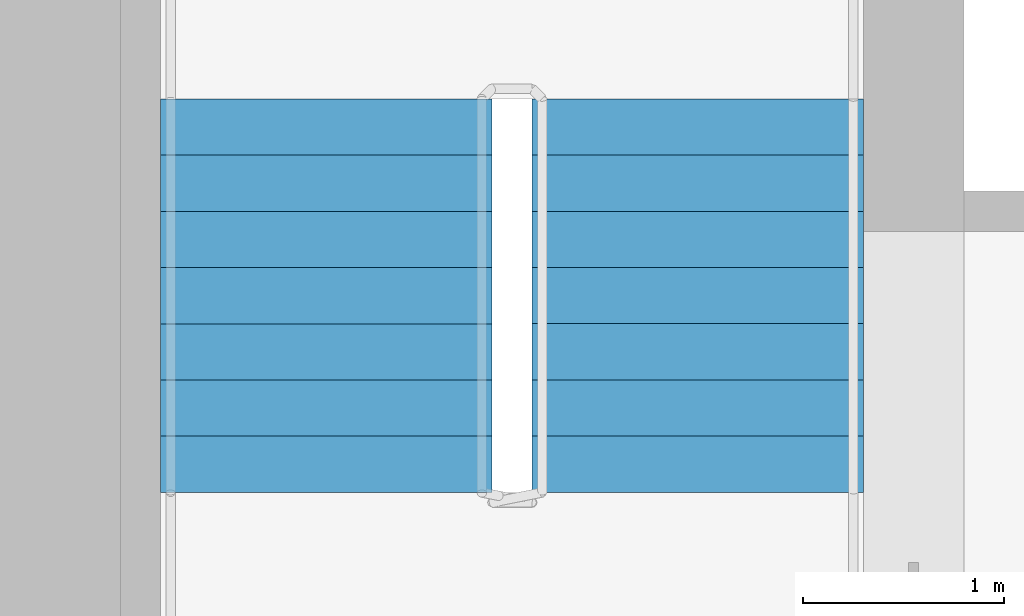
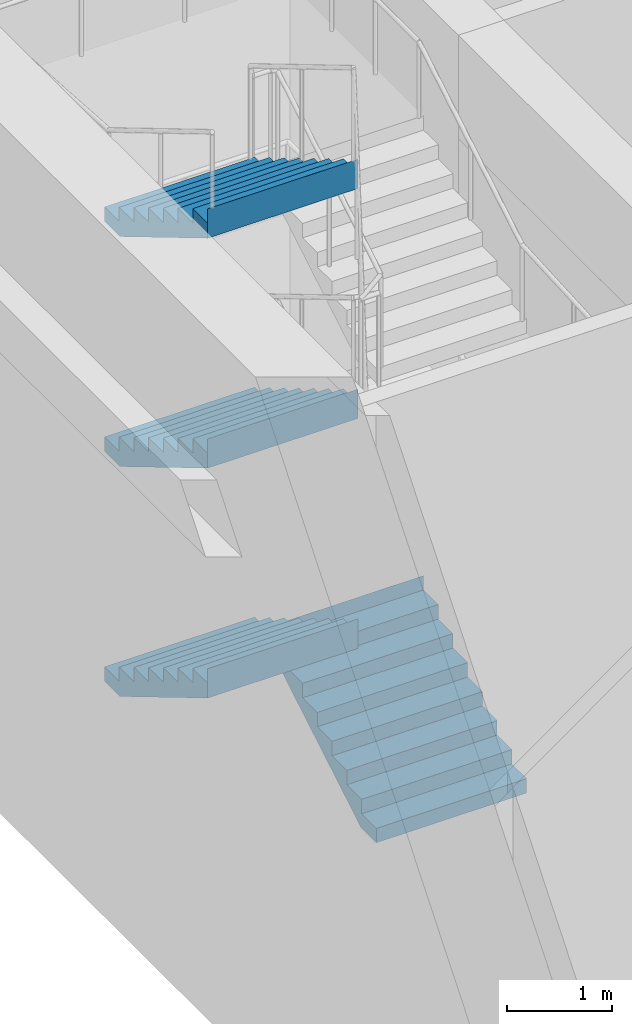
# One storey, part 7 of 12: 4 stair flights, 1 element without a shape of its own.
"""IFC4 building model written with IfcOpenShell, lengths in metres."""

from ifc_helpers import new_model, si_unit, direction, frame, origin, place, context, subcontext, project, spatial, polyline, outline, extrude, material, type_object, element, aggregate, save


model = new_model("IFC4")

# Units and contexts
model_context = context("Model", 3, precision=1e-05, world=origin(), true_north=direction((0.0, 1.0)))
body_context = subcontext(model_context, "Body", "Model", "MODEL_VIEW")
ifc_project = project(units=[si_unit("LENGTHUNIT", "METRE"), si_unit("AREAUNIT", "SQUARE_METRE"), si_unit("VOLUMEUNIT", "CUBIC_METRE"), si_unit("PLANEANGLEUNIT", "RADIAN"), si_unit("MASSUNIT", "GRAM", prefix="KILO")], contexts=[model_context])

# Site, building, storey
site_placement = place(None, origin())
site = spatial("IfcSite", under=ifc_project, at=site_placement, CompositionType="ELEMENT")
building_placement = place(site_placement, origin())
building = spatial("IfcBuilding", under=site, at=building_placement, Name="Tamorin Gate", CompositionType="ELEMENT")
storey_placement = place(building_placement, frame((0.0, 0.0, 166.199951171875)))
storey = spatial("IfcBuildingStorey", under=building, at=storey_placement, Name="L41", CompositionType="ELEMENT", Elevation=166.199951171875)

# Stair, stair flights
ifc_material = material(Name="Concrete C40/50", Category="concrete")
stair_type = type_object("IfcStairType", Name="Exit stair", PredefinedType="HALF_TURN_STAIR", material=ifc_material)
stair_placement = place(storey_placement, origin())
stair = element("IfcStair", 1, at=stair_placement, inside=storey, type_object=stair_type, Name="L41 stair ST2", PredefinedType="HALF_TURN_STAIR")
stair_flight_type = type_object("IfcStairFlightType", Name="Exit stair flight", PredefinedType="STRAIGHT", material=ifc_material)
stair_flight_1_placement = place(storey_placement, frame((33.675048828125, 77.0, 0.0), z_axis=(0.0, 0.0, 1.0), x_axis=(0.0, 1.0, 0.0)))
stair_flight_1 = element("IfcStairFlight", 2, at=stair_flight_1_placement, type_object=stair_flight_type, Name="ST2 flight 1", NumberOfRisers=8, NumberOfTreads=7, PredefinedType="STRAIGHT", RiserHeight=0.166666667, TreadLength=0.28, context=body_context, shape_type="SweptSolid", body=[
    extrude(outline(polyline([(-0.00048828125, 0.0), (-0.00048828125, 0.001708984375), (-0.00048828125, 0.00341796875), (-0.00048828125, 0.0048828125), (-0.00048828125, 0.006591796875), (-0.00048828125, 0.00830078125), (-0.00048828125, 0.010009765625), (-0.00048828125, 0.011474609375), (-0.00048828125, 0.01318359375), (-0.00048828125, 0.014892578125), (-0.00048828125, 0.0166015625), (-0.00048828125, 0.01806640625), (-0.00048828125, 0.019775390625), (-0.00048828125, 0.021484375), (-0.00048828125, 0.023193359375), (-0.00048828125, 0.024658203125), (-0.00048828125, 0.0263671875), (-0.00048828125, 0.028076171875), (-0.00048828125, 0.02978515625), (-0.00048828125, 0.03125), (-0.00048828125, 0.032958984375), (-0.00048828125, 0.03466796875), (-0.00048828125, 0.036376953125), (-0.00048828125, 0.037841796875), (-0.00048828125, 0.03955078125), (-0.00048828125, 0.041259765625), (-0.00048828125, 0.04296875), (-0.00048828125, 0.04443359375), (-0.00048828125, 0.046142578125), (-0.00048828125, 0.0478515625), (-0.00048828125, 0.049560546875), (-0.00048828125, 0.05126953125), (-0.00048828125, 0.052734375), (-0.00048828125, 0.054443359375), (-0.00048828125, 0.05615234375), (-0.00048828125, 0.057861328125), (-0.00048828125, 0.059326171875), (-0.00048828125, 0.06103515625), (-0.00048828125, 0.062744140625), (-0.00048828125, 0.064453125), (-0.00048828125, 0.06591796875), (-0.00048828125, 0.067626953125), (-0.00048828125, 0.0693359375), (-0.00048828125, 0.071044921875), (-0.00048828125, 0.072509765625), (-0.00048828125, 0.07421875), (-0.00048828125, 0.075927734375), (-0.00048828125, 0.07763671875), (-0.00048828125, 0.0791015625), (-0.00048828125, 0.080810546875), (-0.00048828125, 0.08251953125), (-0.00048828125, 0.084228515625), (-0.00048828125, 0.085693359375), (-0.00048828125, 0.08740234375), (-0.00048828125, 0.089111328125), (-0.00048828125, 0.0908203125), (-0.00048828125, 0.092529296875), (-0.00048828125, 0.093994140625), (-0.00048828125, 0.095703125), (-0.00048828125, 0.097412109375), (-0.00048828125, 0.09912109375), (-0.00048828125, 0.1005859375), (-0.00048828125, 0.102294921875), (-0.00048828125, 0.10400390625), (-0.00048828125, 0.105712890625), (-0.00048828125, 0.107177734375), (-0.00048828125, 0.10888671875), (-0.00048828125, 0.110595703125), (-0.00048828125, 0.1123046875), (-0.00048828125, 0.11376953125), (-0.00048828125, 0.115478515625), (-0.00048828125, 0.1171875), (-0.00048828125, 0.118896484375), (-0.00048828125, 0.120361328125), (-0.00048828125, 0.1220703125), (-0.00048828125, 0.123779296875), (-0.00048828125, 0.12548828125), (-0.00048828125, 0.126953125), (-0.00048828125, 0.128662109375), (-0.00048828125, 0.13037109375), (-0.00048828125, 0.132080078125), (-0.00048828125, 0.133544921875), (-0.00048828125, 0.13525390625), (-0.00048828125, 0.136962890625), (-0.00048828125, 0.138671875), (-0.00048828125, 0.140380859375), (-0.00048828125, 0.141845703125), (-0.00048828125, 0.1435546875), (-0.00048828125, 0.145263671875), (-0.00048828125, 0.14697265625), (-0.00048828125, 0.1484375), (-0.00048828125, 0.150146484375), (-0.00048828125, 0.15185546875), (-0.00048828125, 0.153564453125), (-0.00048828125, 0.155029296875), (-0.00048828125, 0.15673828125), (-0.00048828125, 0.158447265625), (-0.00048828125, 0.16015625), (-0.00048828125, 0.16162109375), (-0.00048828125, 0.163330078125), (-0.00048828125, 0.1650390625), (-0.00048828125, 0.166748046875), (0.280029296875, 0.166748046875), (0.280029296875, 0.333251953125), (0.56005859375, 0.333251953125), (0.56005859375, 0.5), (0.840087890625, 0.5), (0.840087890625, 0.666748046875), (1.1201171875, 0.666748046875), (1.1201171875, 0.833251953125), (1.39990234375, 0.833251953125), (1.39990234375, 1.0), (1.679931640625, 1.0), (1.679931640625, 1.166748046875), (1.9599609375, 1.166748046875), (1.9599609375, 1.333251953125), (1.96044921875, 1.333251953125), (1.96044921875, 1.329833984375), (1.96044921875, 1.32666015625), (1.96044921875, 1.3232421875), (1.96044921875, 1.31982421875), (1.96044921875, 1.31640625), (1.96044921875, 1.31298828125), (1.96044921875, 1.3095703125), (1.96044921875, 1.306396484375), (1.96044921875, 1.302978515625), (1.96044921875, 1.299560546875), (1.96044921875, 1.296142578125), (1.96044921875, 1.292724609375), (1.96044921875, 1.289306640625), (1.96044921875, 1.2861328125), (1.96044921875, 1.28271484375), (1.96044921875, 1.279296875), (1.96044921875, 1.27587890625), (1.96044921875, 1.2724609375), (1.96044921875, 1.26904296875), (1.96044921875, 1.265869140625), (1.96044921875, 1.262451171875), (1.96044921875, 1.259033203125), (1.96044921875, 1.255615234375), (1.96044921875, 1.252197265625), (1.96044921875, 1.248779296875), (1.96044921875, 1.24560546875), (1.96044921875, 1.2421875), (1.96044921875, 1.23876953125), (1.96044921875, 1.2353515625), (1.96044921875, 1.23193359375), (1.96044921875, 1.228515625), (1.96044921875, 1.225341796875), (1.96044921875, 1.221923828125), (1.96044921875, 1.218505859375), (1.96044921875, 1.215087890625), (1.96044921875, 1.211669921875), (1.96044921875, 1.208251953125), (1.96044921875, 1.205078125), (1.96044921875, 1.20166015625), (1.96044921875, 1.1982421875), (1.96044921875, 1.19482421875), (1.96044921875, 1.19140625), (1.96044921875, 1.18798828125), (1.96044921875, 1.184814453125), (1.96044921875, 1.181396484375), (1.96044921875, 1.177978515625), (1.96044921875, 1.174560546875), (1.96044921875, 1.171142578125), (1.96044921875, 1.167724609375), (1.96044921875, 1.16455078125), (1.96044921875, 1.1611328125), (1.96044921875, 1.15771484375), (1.96044921875, 1.154296875), (1.96044921875, 1.15087890625), (1.96044921875, 1.1474609375), (1.96044921875, 1.144287109375), (1.96044921875, 1.140869140625), (1.96044921875, 1.137451171875), (1.96044921875, 1.134033203125), (1.96044921875, 1.130615234375), (1.96044921875, 1.127197265625), (1.96044921875, 1.1240234375), (1.96044921875, 1.12060546875), (1.96044921875, 1.1171875), (1.96044921875, 1.11376953125), (1.96044921875, 1.1103515625), (1.96044921875, 1.10693359375), (1.96044921875, 1.103759765625), (1.96044921875, 1.100341796875), (1.96044921875, 1.096923828125), (1.96044921875, 1.093505859375), (1.96044921875, 1.090087890625), (1.96044921875, 1.086669921875), (1.96044921875, 1.08349609375), (1.96044921875, 1.080078125), (1.96044921875, 1.07666015625), (1.96044921875, 1.0732421875), (1.96044921875, 1.06982421875), (1.96044921875, 1.06640625), (1.96044921875, 1.063232421875), (1.96044921875, 1.059814453125), (1.96044921875, 1.056396484375), (1.96044921875, 1.052978515625), (1.96044921875, 1.049560546875), (1.96044921875, 1.046142578125), (1.96044921875, 1.04296875), (1.96044921875, 1.03955078125), (1.96044921875, 1.0361328125), (1.96044921875, 1.03271484375), (1.96044921875, 1.029296875), (1.96044921875, 1.02587890625), (1.96044921875, 1.022705078125), (1.96044921875, 1.019287109375), (1.96044921875, 1.015869140625), (1.96044921875, 1.012451171875), (1.96044921875, 1.009033203125), (1.96044921875, 1.005615234375), (1.96044921875, 1.00244140625), (1.96044921875, 0.9990234375), (1.96044921875, 0.99560546875), (1.96044921875, 0.9921875), (1.9599609375, 0.9921875), (0.29296875, 0.0), (-0.00048828125, 0.0)])), frame((0.0, 0.824951171875, 0.0), z_axis=(0.0, -1.0, 0.0), x_axis=(1.0, 0.0, 0.0)), (0.0, 0.0, 1.0), 1.64990234375),
])
stair_flight_2_placement = place(storey_placement, frame((31.824951171875, 78.9599609375, 1.33349609375), z_axis=(0.0, 0.0, 1.0), x_axis=(0.0, -1.0, 0.0)))
stair_flight_2 = element("IfcStairFlight", 3, at=stair_flight_2_placement, type_object=stair_flight_type, Name="ST2 flight 2", NumberOfRisers=8, NumberOfTreads=7, PredefinedType="STRAIGHT", RiserHeight=0.166666667, TreadLength=0.28, context=body_context, shape_type="SweptSolid", body=[
    extrude(outline(polyline([(-0.00048828125, 0.0), (-0.00048828125, 0.001708984375), (-0.00048828125, 0.00341796875), (-0.00048828125, 0.0048828125), (-0.00048828125, 0.006591796875), (-0.00048828125, 0.00830078125), (-0.00048828125, 0.010009765625), (-0.00048828125, 0.011474609375), (-0.00048828125, 0.01318359375), (-0.00048828125, 0.014892578125), (-0.00048828125, 0.0166015625), (-0.00048828125, 0.01806640625), (-0.00048828125, 0.019775390625), (-0.00048828125, 0.021484375), (-0.00048828125, 0.023193359375), (-0.00048828125, 0.024658203125), (-0.00048828125, 0.0263671875), (-0.00048828125, 0.028076171875), (-0.00048828125, 0.02978515625), (-0.00048828125, 0.03125), (-0.00048828125, 0.032958984375), (-0.00048828125, 0.03466796875), (-0.00048828125, 0.036376953125), (-0.00048828125, 0.037841796875), (-0.00048828125, 0.03955078125), (-0.00048828125, 0.041259765625), (-0.00048828125, 0.04296875), (-0.00048828125, 0.04443359375), (-0.00048828125, 0.046142578125), (-0.00048828125, 0.0478515625), (-0.00048828125, 0.049560546875), (-0.00048828125, 0.05126953125), (-0.00048828125, 0.052734375), (-0.00048828125, 0.054443359375), (-0.00048828125, 0.05615234375), (-0.00048828125, 0.057861328125), (-0.00048828125, 0.059326171875), (-0.00048828125, 0.06103515625), (-0.00048828125, 0.062744140625), (-0.00048828125, 0.064453125), (-0.00048828125, 0.06591796875), (-0.00048828125, 0.067626953125), (-0.00048828125, 0.0693359375), (-0.00048828125, 0.071044921875), (-0.00048828125, 0.072509765625), (-0.00048828125, 0.07421875), (-0.00048828125, 0.075927734375), (-0.00048828125, 0.07763671875), (-0.00048828125, 0.0791015625), (-0.00048828125, 0.080810546875), (-0.00048828125, 0.08251953125), (-0.00048828125, 0.084228515625), (-0.00048828125, 0.085693359375), (-0.00048828125, 0.08740234375), (-0.00048828125, 0.089111328125), (-0.00048828125, 0.0908203125), (-0.00048828125, 0.092529296875), (-0.00048828125, 0.093994140625), (-0.00048828125, 0.095703125), (-0.00048828125, 0.097412109375), (-0.00048828125, 0.09912109375), (-0.00048828125, 0.1005859375), (-0.00048828125, 0.102294921875), (-0.00048828125, 0.10400390625), (-0.00048828125, 0.105712890625), (-0.00048828125, 0.107177734375), (-0.00048828125, 0.10888671875), (-0.00048828125, 0.110595703125), (-0.00048828125, 0.1123046875), (-0.00048828125, 0.11376953125), (-0.00048828125, 0.115478515625), (-0.00048828125, 0.1171875), (-0.00048828125, 0.118896484375), (-0.00048828125, 0.120361328125), (-0.00048828125, 0.1220703125), (-0.00048828125, 0.123779296875), (-0.00048828125, 0.12548828125), (-0.00048828125, 0.126953125), (-0.00048828125, 0.128662109375), (-0.00048828125, 0.13037109375), (-0.00048828125, 0.132080078125), (-0.00048828125, 0.133544921875), (-0.00048828125, 0.13525390625), (-0.00048828125, 0.136962890625), (-0.00048828125, 0.138671875), (-0.00048828125, 0.140380859375), (-0.00048828125, 0.141845703125), (-0.00048828125, 0.1435546875), (-0.00048828125, 0.145263671875), (-0.00048828125, 0.14697265625), (-0.00048828125, 0.1484375), (-0.00048828125, 0.150146484375), (-0.00048828125, 0.15185546875), (-0.00048828125, 0.153564453125), (-0.00048828125, 0.155029296875), (-0.00048828125, 0.15673828125), (-0.00048828125, 0.158447265625), (-0.00048828125, 0.16015625), (-0.00048828125, 0.16162109375), (-0.00048828125, 0.163330078125), (-0.00048828125, 0.1650390625), (-0.00048828125, 0.166748046875), (0.280029296875, 0.166748046875), (0.280029296875, 0.333251953125), (0.56005859375, 0.333251953125), (0.56005859375, 0.5), (0.840087890625, 0.5), (0.840087890625, 0.666748046875), (1.1201171875, 0.666748046875), (1.1201171875, 0.833251953125), (1.39990234375, 0.833251953125), (1.39990234375, 1.0), (1.679931640625, 1.0), (1.679931640625, 1.166748046875), (1.9599609375, 1.166748046875), (1.9599609375, 1.333251953125), (1.96044921875, 1.333251953125), (1.96044921875, 1.329833984375), (1.96044921875, 1.32666015625), (1.96044921875, 1.3232421875), (1.96044921875, 1.31982421875), (1.96044921875, 1.31640625), (1.96044921875, 1.31298828125), (1.96044921875, 1.3095703125), (1.96044921875, 1.306396484375), (1.96044921875, 1.302978515625), (1.96044921875, 1.299560546875), (1.96044921875, 1.296142578125), (1.96044921875, 1.292724609375), (1.96044921875, 1.289306640625), (1.96044921875, 1.2861328125), (1.96044921875, 1.28271484375), (1.96044921875, 1.279296875), (1.96044921875, 1.27587890625), (1.96044921875, 1.2724609375), (1.96044921875, 1.26904296875), (1.96044921875, 1.265869140625), (1.96044921875, 1.262451171875), (1.96044921875, 1.259033203125), (1.96044921875, 1.255615234375), (1.96044921875, 1.252197265625), (1.96044921875, 1.248779296875), (1.96044921875, 1.24560546875), (1.96044921875, 1.2421875), (1.96044921875, 1.23876953125), (1.96044921875, 1.2353515625), (1.96044921875, 1.23193359375), (1.96044921875, 1.228515625), (1.96044921875, 1.225341796875), (1.96044921875, 1.221923828125), (1.96044921875, 1.218505859375), (1.96044921875, 1.215087890625), (1.96044921875, 1.211669921875), (1.96044921875, 1.208251953125), (1.96044921875, 1.205078125), (1.96044921875, 1.20166015625), (1.96044921875, 1.1982421875), (1.96044921875, 1.19482421875), (1.96044921875, 1.19140625), (1.96044921875, 1.18798828125), (1.96044921875, 1.184814453125), (1.96044921875, 1.181396484375), (1.96044921875, 1.177978515625), (1.96044921875, 1.174560546875), (1.96044921875, 1.171142578125), (1.96044921875, 1.167724609375), (1.96044921875, 1.16455078125), (1.96044921875, 1.1611328125), (1.96044921875, 1.15771484375), (1.96044921875, 1.154296875), (1.96044921875, 1.15087890625), (1.96044921875, 1.1474609375), (1.96044921875, 1.144287109375), (1.96044921875, 1.140869140625), (1.96044921875, 1.137451171875), (1.96044921875, 1.134033203125), (1.96044921875, 1.130615234375), (1.96044921875, 1.127197265625), (1.96044921875, 1.1240234375), (1.96044921875, 1.12060546875), (1.96044921875, 1.1171875), (1.96044921875, 1.11376953125), (1.96044921875, 1.1103515625), (1.96044921875, 1.10693359375), (1.96044921875, 1.103759765625), (1.96044921875, 1.100341796875), (1.96044921875, 1.096923828125), (1.96044921875, 1.093505859375), (1.96044921875, 1.090087890625), (1.96044921875, 1.086669921875), (1.96044921875, 1.08349609375), (1.96044921875, 1.080078125), (1.96044921875, 1.07666015625), (1.96044921875, 1.0732421875), (1.96044921875, 1.06982421875), (1.96044921875, 1.06640625), (1.96044921875, 1.063232421875), (1.96044921875, 1.059814453125), (1.96044921875, 1.056396484375), (1.96044921875, 1.052978515625), (1.96044921875, 1.049560546875), (1.96044921875, 1.046142578125), (1.96044921875, 1.04296875), (1.96044921875, 1.03955078125), (1.96044921875, 1.0361328125), (1.96044921875, 1.03271484375), (1.96044921875, 1.029296875), (1.96044921875, 1.02587890625), (1.96044921875, 1.022705078125), (1.96044921875, 1.019287109375), (1.96044921875, 1.015869140625), (1.96044921875, 1.012451171875), (1.96044921875, 1.009033203125), (1.96044921875, 1.005615234375), (1.96044921875, 1.00244140625), (1.96044921875, 0.9990234375), (1.96044921875, 0.99560546875), (1.96044921875, 0.9921875), (1.9599609375, 0.9921875), (0.29296875, 0.0), (-0.00048828125, 0.0)])), frame((0.0, 0.824951171875, 0.0), z_axis=(0.0, -1.0, 0.0), x_axis=(1.0, 0.0, 0.0)), (0.0, 0.0, 1.0), 1.64990234375),
])
stair_flight_3_placement = place(storey_placement, frame((31.824951171875, 78.9599609375, 4.0), z_axis=(0.0, 0.0, 1.0), x_axis=(0.0, -1.0, 0.0)))
stair_flight_3 = element("IfcStairFlight", 4, at=stair_flight_3_placement, type_object=stair_flight_type, Name="ST2 flight 4", NumberOfRisers=8, NumberOfTreads=7, PredefinedType="STRAIGHT", RiserHeight=0.166666667, TreadLength=0.28, context=body_context, shape_type="SweptSolid", body=[
    extrude(outline(polyline([(-0.00048828125, 0.0), (-0.00048828125, 0.001708984375), (-0.00048828125, 0.00341796875), (-0.00048828125, 0.0048828125), (-0.00048828125, 0.006591796875), (-0.00048828125, 0.00830078125), (-0.00048828125, 0.010009765625), (-0.00048828125, 0.011474609375), (-0.00048828125, 0.01318359375), (-0.00048828125, 0.014892578125), (-0.00048828125, 0.0166015625), (-0.00048828125, 0.01806640625), (-0.00048828125, 0.019775390625), (-0.00048828125, 0.021484375), (-0.00048828125, 0.023193359375), (-0.00048828125, 0.024658203125), (-0.00048828125, 0.0263671875), (-0.00048828125, 0.028076171875), (-0.00048828125, 0.02978515625), (-0.00048828125, 0.03125), (-0.00048828125, 0.032958984375), (-0.00048828125, 0.03466796875), (-0.00048828125, 0.036376953125), (-0.00048828125, 0.037841796875), (-0.00048828125, 0.03955078125), (-0.00048828125, 0.041259765625), (-0.00048828125, 0.04296875), (-0.00048828125, 0.04443359375), (-0.00048828125, 0.046142578125), (-0.00048828125, 0.0478515625), (-0.00048828125, 0.049560546875), (-0.00048828125, 0.05126953125), (-0.00048828125, 0.052734375), (-0.00048828125, 0.054443359375), (-0.00048828125, 0.05615234375), (-0.00048828125, 0.057861328125), (-0.00048828125, 0.059326171875), (-0.00048828125, 0.06103515625), (-0.00048828125, 0.062744140625), (-0.00048828125, 0.064453125), (-0.00048828125, 0.06591796875), (-0.00048828125, 0.067626953125), (-0.00048828125, 0.0693359375), (-0.00048828125, 0.071044921875), (-0.00048828125, 0.072509765625), (-0.00048828125, 0.07421875), (-0.00048828125, 0.075927734375), (-0.00048828125, 0.07763671875), (-0.00048828125, 0.0791015625), (-0.00048828125, 0.080810546875), (-0.00048828125, 0.08251953125), (-0.00048828125, 0.084228515625), (-0.00048828125, 0.085693359375), (-0.00048828125, 0.08740234375), (-0.00048828125, 0.089111328125), (-0.00048828125, 0.0908203125), (-0.00048828125, 0.092529296875), (-0.00048828125, 0.093994140625), (-0.00048828125, 0.095703125), (-0.00048828125, 0.097412109375), (-0.00048828125, 0.09912109375), (-0.00048828125, 0.1005859375), (-0.00048828125, 0.102294921875), (-0.00048828125, 0.10400390625), (-0.00048828125, 0.105712890625), (-0.00048828125, 0.107177734375), (-0.00048828125, 0.10888671875), (-0.00048828125, 0.110595703125), (-0.00048828125, 0.1123046875), (-0.00048828125, 0.11376953125), (-0.00048828125, 0.115478515625), (-0.00048828125, 0.1171875), (-0.00048828125, 0.118896484375), (-0.00048828125, 0.120361328125), (-0.00048828125, 0.1220703125), (-0.00048828125, 0.123779296875), (-0.00048828125, 0.12548828125), (-0.00048828125, 0.126953125), (-0.00048828125, 0.128662109375), (-0.00048828125, 0.13037109375), (-0.00048828125, 0.132080078125), (-0.00048828125, 0.133544921875), (-0.00048828125, 0.13525390625), (-0.00048828125, 0.136962890625), (-0.00048828125, 0.138671875), (-0.00048828125, 0.140380859375), (-0.00048828125, 0.141845703125), (-0.00048828125, 0.1435546875), (-0.00048828125, 0.145263671875), (-0.00048828125, 0.14697265625), (-0.00048828125, 0.1484375), (-0.00048828125, 0.150146484375), (-0.00048828125, 0.15185546875), (-0.00048828125, 0.153564453125), (-0.00048828125, 0.155029296875), (-0.00048828125, 0.15673828125), (-0.00048828125, 0.158447265625), (-0.00048828125, 0.16015625), (-0.00048828125, 0.16162109375), (-0.00048828125, 0.163330078125), (-0.00048828125, 0.1650390625), (-0.00048828125, 0.166748046875), (0.280029296875, 0.166748046875), (0.280029296875, 0.333251953125), (0.56005859375, 0.333251953125), (0.56005859375, 0.5), (0.840087890625, 0.5), (0.840087890625, 0.666748046875), (1.1201171875, 0.666748046875), (1.1201171875, 0.833251953125), (1.39990234375, 0.833251953125), (1.39990234375, 1.0), (1.679931640625, 1.0), (1.679931640625, 1.166748046875), (1.9599609375, 1.166748046875), (1.9599609375, 1.333251953125), (1.96044921875, 1.333251953125), (1.96044921875, 1.329833984375), (1.96044921875, 1.32666015625), (1.96044921875, 1.3232421875), (1.96044921875, 1.31982421875), (1.96044921875, 1.31640625), (1.96044921875, 1.31298828125), (1.96044921875, 1.3095703125), (1.96044921875, 1.306396484375), (1.96044921875, 1.302978515625), (1.96044921875, 1.299560546875), (1.96044921875, 1.296142578125), (1.96044921875, 1.292724609375), (1.96044921875, 1.289306640625), (1.96044921875, 1.2861328125), (1.96044921875, 1.28271484375), (1.96044921875, 1.279296875), (1.96044921875, 1.27587890625), (1.96044921875, 1.2724609375), (1.96044921875, 1.26904296875), (1.96044921875, 1.265869140625), (1.96044921875, 1.262451171875), (1.96044921875, 1.259033203125), (1.96044921875, 1.255615234375), (1.96044921875, 1.252197265625), (1.96044921875, 1.248779296875), (1.96044921875, 1.24560546875), (1.96044921875, 1.2421875), (1.96044921875, 1.23876953125), (1.96044921875, 1.2353515625), (1.96044921875, 1.23193359375), (1.96044921875, 1.228515625), (1.96044921875, 1.225341796875), (1.96044921875, 1.221923828125), (1.96044921875, 1.218505859375), (1.96044921875, 1.215087890625), (1.96044921875, 1.211669921875), (1.96044921875, 1.208251953125), (1.96044921875, 1.205078125), (1.96044921875, 1.20166015625), (1.96044921875, 1.1982421875), (1.96044921875, 1.19482421875), (1.96044921875, 1.19140625), (1.96044921875, 1.18798828125), (1.96044921875, 1.184814453125), (1.96044921875, 1.181396484375), (1.96044921875, 1.177978515625), (1.96044921875, 1.174560546875), (1.96044921875, 1.171142578125), (1.96044921875, 1.167724609375), (1.96044921875, 1.16455078125), (1.96044921875, 1.1611328125), (1.96044921875, 1.15771484375), (1.96044921875, 1.154296875), (1.96044921875, 1.15087890625), (1.96044921875, 1.1474609375), (1.96044921875, 1.144287109375), (1.96044921875, 1.140869140625), (1.96044921875, 1.137451171875), (1.96044921875, 1.134033203125), (1.96044921875, 1.130615234375), (1.96044921875, 1.127197265625), (1.96044921875, 1.1240234375), (1.96044921875, 1.12060546875), (1.96044921875, 1.1171875), (1.96044921875, 1.11376953125), (1.96044921875, 1.1103515625), (1.96044921875, 1.10693359375), (1.96044921875, 1.103759765625), (1.96044921875, 1.100341796875), (1.96044921875, 1.096923828125), (1.96044921875, 1.093505859375), (1.96044921875, 1.090087890625), (1.96044921875, 1.086669921875), (1.96044921875, 1.08349609375), (1.96044921875, 1.080078125), (1.96044921875, 1.07666015625), (1.96044921875, 1.0732421875), (1.96044921875, 1.06982421875), (1.96044921875, 1.06640625), (1.96044921875, 1.063232421875), (1.96044921875, 1.059814453125), (1.96044921875, 1.056396484375), (1.96044921875, 1.052978515625), (1.96044921875, 1.049560546875), (1.96044921875, 1.046142578125), (1.96044921875, 1.04296875), (1.96044921875, 1.03955078125), (1.96044921875, 1.0361328125), (1.96044921875, 1.03271484375), (1.96044921875, 1.029296875), (1.96044921875, 1.02587890625), (1.96044921875, 1.022705078125), (1.96044921875, 1.019287109375), (1.96044921875, 1.015869140625), (1.96044921875, 1.012451171875), (1.96044921875, 1.009033203125), (1.96044921875, 1.005615234375), (1.96044921875, 1.00244140625), (1.96044921875, 0.9990234375), (1.96044921875, 0.99560546875), (1.96044921875, 0.9921875), (1.9599609375, 0.9921875), (0.29296875, 0.0), (-0.00048828125, 0.0)])), frame((0.0, 0.824951171875, 0.0), z_axis=(0.0, -1.0, 0.0), x_axis=(1.0, 0.0, 0.0)), (0.0, 0.0, 1.0), 1.64990234375),
])
stair_flight_4_placement = place(storey_placement, frame((31.824951171875, 78.9599609375, 6.666748046875), z_axis=(0.0, 0.0, 1.0), x_axis=(0.0, -1.0, 0.0)))
stair_flight_4 = element("IfcStairFlight", 5, at=stair_flight_4_placement, type_object=stair_flight_type, Name="ST2 flight 6", NumberOfRisers=8, NumberOfTreads=7, PredefinedType="STRAIGHT", RiserHeight=0.166666667, TreadLength=0.28, context=body_context, shape_type="SweptSolid", body=[
    extrude(outline(polyline([(-0.00048828125, 0.0), (-0.00048828125, 0.001708984375), (-0.00048828125, 0.00341796875), (-0.00048828125, 0.0048828125), (-0.00048828125, 0.006591796875), (-0.00048828125, 0.00830078125), (-0.00048828125, 0.010009765625), (-0.00048828125, 0.011474609375), (-0.00048828125, 0.01318359375), (-0.00048828125, 0.014892578125), (-0.00048828125, 0.0166015625), (-0.00048828125, 0.01806640625), (-0.00048828125, 0.019775390625), (-0.00048828125, 0.021484375), (-0.00048828125, 0.023193359375), (-0.00048828125, 0.024658203125), (-0.00048828125, 0.0263671875), (-0.00048828125, 0.028076171875), (-0.00048828125, 0.02978515625), (-0.00048828125, 0.03125), (-0.00048828125, 0.032958984375), (-0.00048828125, 0.03466796875), (-0.00048828125, 0.036376953125), (-0.00048828125, 0.037841796875), (-0.00048828125, 0.03955078125), (-0.00048828125, 0.041259765625), (-0.00048828125, 0.04296875), (-0.00048828125, 0.04443359375), (-0.00048828125, 0.046142578125), (-0.00048828125, 0.0478515625), (-0.00048828125, 0.049560546875), (-0.00048828125, 0.05126953125), (-0.00048828125, 0.052734375), (-0.00048828125, 0.054443359375), (-0.00048828125, 0.05615234375), (-0.00048828125, 0.057861328125), (-0.00048828125, 0.059326171875), (-0.00048828125, 0.06103515625), (-0.00048828125, 0.062744140625), (-0.00048828125, 0.064453125), (-0.00048828125, 0.06591796875), (-0.00048828125, 0.067626953125), (-0.00048828125, 0.0693359375), (-0.00048828125, 0.071044921875), (-0.00048828125, 0.072509765625), (-0.00048828125, 0.07421875), (-0.00048828125, 0.075927734375), (-0.00048828125, 0.07763671875), (-0.00048828125, 0.0791015625), (-0.00048828125, 0.080810546875), (-0.00048828125, 0.08251953125), (-0.00048828125, 0.084228515625), (-0.00048828125, 0.085693359375), (-0.00048828125, 0.08740234375), (-0.00048828125, 0.089111328125), (-0.00048828125, 0.0908203125), (-0.00048828125, 0.092529296875), (-0.00048828125, 0.093994140625), (-0.00048828125, 0.095703125), (-0.00048828125, 0.097412109375), (-0.00048828125, 0.09912109375), (-0.00048828125, 0.1005859375), (-0.00048828125, 0.102294921875), (-0.00048828125, 0.10400390625), (-0.00048828125, 0.105712890625), (-0.00048828125, 0.107177734375), (-0.00048828125, 0.10888671875), (-0.00048828125, 0.110595703125), (-0.00048828125, 0.1123046875), (-0.00048828125, 0.11376953125), (-0.00048828125, 0.115478515625), (-0.00048828125, 0.1171875), (-0.00048828125, 0.118896484375), (-0.00048828125, 0.120361328125), (-0.00048828125, 0.1220703125), (-0.00048828125, 0.123779296875), (-0.00048828125, 0.12548828125), (-0.00048828125, 0.126953125), (-0.00048828125, 0.128662109375), (-0.00048828125, 0.13037109375), (-0.00048828125, 0.132080078125), (-0.00048828125, 0.133544921875), (-0.00048828125, 0.13525390625), (-0.00048828125, 0.136962890625), (-0.00048828125, 0.138671875), (-0.00048828125, 0.140380859375), (-0.00048828125, 0.141845703125), (-0.00048828125, 0.1435546875), (-0.00048828125, 0.145263671875), (-0.00048828125, 0.14697265625), (-0.00048828125, 0.1484375), (-0.00048828125, 0.150146484375), (-0.00048828125, 0.15185546875), (-0.00048828125, 0.153564453125), (-0.00048828125, 0.155029296875), (-0.00048828125, 0.15673828125), (-0.00048828125, 0.158447265625), (-0.00048828125, 0.16015625), (-0.00048828125, 0.16162109375), (-0.00048828125, 0.163330078125), (-0.00048828125, 0.1650390625), (-0.00048828125, 0.166748046875), (0.280029296875, 0.166748046875), (0.280029296875, 0.333251953125), (0.56005859375, 0.333251953125), (0.56005859375, 0.5), (0.840087890625, 0.5), (0.840087890625, 0.666748046875), (1.1201171875, 0.666748046875), (1.1201171875, 0.833251953125), (1.39990234375, 0.833251953125), (1.39990234375, 1.0), (1.679931640625, 1.0), (1.679931640625, 1.166748046875), (1.9599609375, 1.166748046875), (1.9599609375, 1.333251953125), (1.96044921875, 1.333251953125), (1.96044921875, 1.329833984375), (1.96044921875, 1.32666015625), (1.96044921875, 1.3232421875), (1.96044921875, 1.31982421875), (1.96044921875, 1.31640625), (1.96044921875, 1.31298828125), (1.96044921875, 1.3095703125), (1.96044921875, 1.306396484375), (1.96044921875, 1.302978515625), (1.96044921875, 1.299560546875), (1.96044921875, 1.296142578125), (1.96044921875, 1.292724609375), (1.96044921875, 1.289306640625), (1.96044921875, 1.2861328125), (1.96044921875, 1.28271484375), (1.96044921875, 1.279296875), (1.96044921875, 1.27587890625), (1.96044921875, 1.2724609375), (1.96044921875, 1.26904296875), (1.96044921875, 1.265869140625), (1.96044921875, 1.262451171875), (1.96044921875, 1.259033203125), (1.96044921875, 1.255615234375), (1.96044921875, 1.252197265625), (1.96044921875, 1.248779296875), (1.96044921875, 1.24560546875), (1.96044921875, 1.2421875), (1.96044921875, 1.23876953125), (1.96044921875, 1.2353515625), (1.96044921875, 1.23193359375), (1.96044921875, 1.228515625), (1.96044921875, 1.225341796875), (1.96044921875, 1.221923828125), (1.96044921875, 1.218505859375), (1.96044921875, 1.215087890625), (1.96044921875, 1.211669921875), (1.96044921875, 1.208251953125), (1.96044921875, 1.205078125), (1.96044921875, 1.20166015625), (1.96044921875, 1.1982421875), (1.96044921875, 1.19482421875), (1.96044921875, 1.19140625), (1.96044921875, 1.18798828125), (1.96044921875, 1.184814453125), (1.96044921875, 1.181396484375), (1.96044921875, 1.177978515625), (1.96044921875, 1.174560546875), (1.96044921875, 1.171142578125), (1.96044921875, 1.167724609375), (1.96044921875, 1.16455078125), (1.96044921875, 1.1611328125), (1.96044921875, 1.15771484375), (1.96044921875, 1.154296875), (1.96044921875, 1.15087890625), (1.96044921875, 1.1474609375), (1.96044921875, 1.144287109375), (1.96044921875, 1.140869140625), (1.96044921875, 1.137451171875), (1.96044921875, 1.134033203125), (1.96044921875, 1.130615234375), (1.96044921875, 1.127197265625), (1.96044921875, 1.1240234375), (1.96044921875, 1.12060546875), (1.96044921875, 1.1171875), (1.96044921875, 1.11376953125), (1.96044921875, 1.1103515625), (1.96044921875, 1.10693359375), (1.96044921875, 1.103759765625), (1.96044921875, 1.100341796875), (1.96044921875, 1.096923828125), (1.96044921875, 1.093505859375), (1.96044921875, 1.090087890625), (1.96044921875, 1.086669921875), (1.96044921875, 1.08349609375), (1.96044921875, 1.080078125), (1.96044921875, 1.07666015625), (1.96044921875, 1.0732421875), (1.96044921875, 1.06982421875), (1.96044921875, 1.06640625), (1.96044921875, 1.063232421875), (1.96044921875, 1.059814453125), (1.96044921875, 1.056396484375), (1.96044921875, 1.052978515625), (1.96044921875, 1.049560546875), (1.96044921875, 1.046142578125), (1.96044921875, 1.04296875), (1.96044921875, 1.03955078125), (1.96044921875, 1.0361328125), (1.96044921875, 1.03271484375), (1.96044921875, 1.029296875), (1.96044921875, 1.02587890625), (1.96044921875, 1.022705078125), (1.96044921875, 1.019287109375), (1.96044921875, 1.015869140625), (1.96044921875, 1.012451171875), (1.96044921875, 1.009033203125), (1.96044921875, 1.005615234375), (1.96044921875, 1.00244140625), (1.96044921875, 0.9990234375), (1.96044921875, 0.99560546875), (1.96044921875, 0.9921875), (1.9599609375, 0.9921875), (0.29296875, 0.0), (-0.00048828125, 0.0)])), frame((0.0, 0.824951171875, 0.0), z_axis=(0.0, -1.0, 0.0), x_axis=(1.0, 0.0, 0.0)), (0.0, 0.0, 1.0), 1.64990234375),
])
aggregate(stair, [stair_flight_1, stair_flight_2, stair_flight_3, stair_flight_4])

save(model, "model.ifc")
